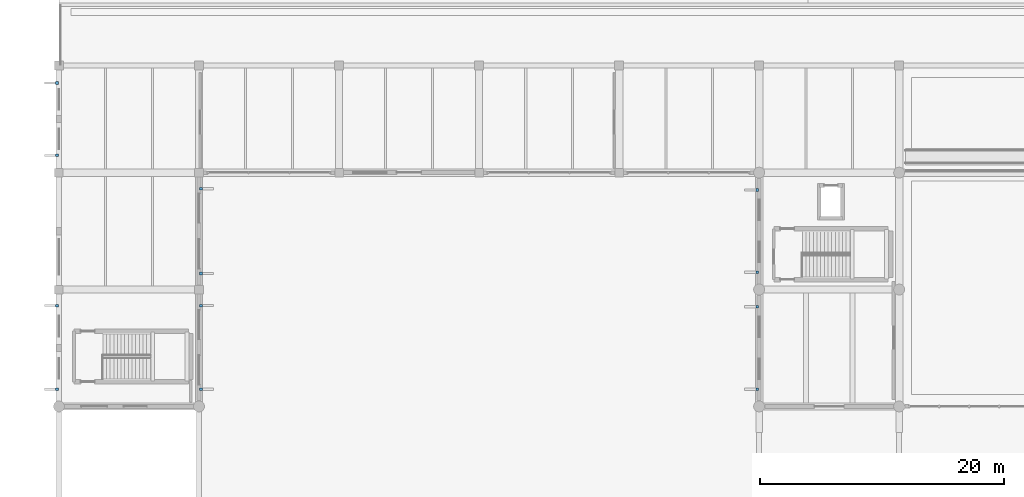
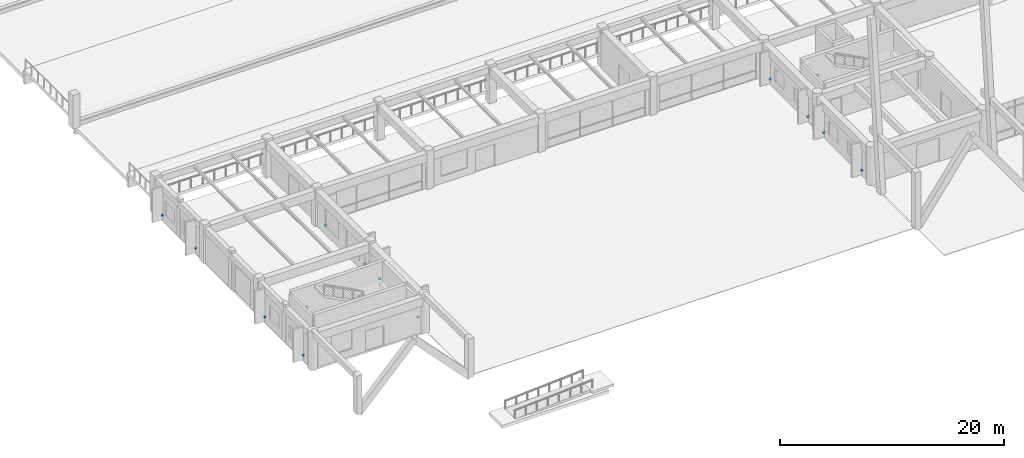
# One storey, part 95 of 109: 12 discrete accessories.
"""IFC4 building model written with IfcOpenShell, lengths in metres."""

from ifc_helpers import new_model, si_unit, direction, frame, origin, origin_2d, place, context, subcontext, project, spatial, rectangle, extrude, material, type_object, element, save


model = new_model("IFC4")

# Units and contexts
model_context = context("Model", 3, precision=1e-05, world=origin(), true_north=direction((0.0, 1.0)))
body_context = subcontext(model_context, "Body", "Model", "MODEL_VIEW")
ifc_project = project(units=[si_unit("LENGTHUNIT", "METRE"), si_unit("AREAUNIT", "SQUARE_METRE"), si_unit("VOLUMEUNIT", "CUBIC_METRE"), si_unit("PLANEANGLEUNIT", "RADIAN"), si_unit("MASSUNIT", "GRAM", prefix="KILO")], contexts=[model_context])

# Site, building, storey
site_placement = place(None, origin())
site = spatial("IfcSite", under=ifc_project, at=site_placement, CompositionType="ELEMENT")
building_placement = place(site_placement, origin())
building = spatial("IfcBuilding", under=site, at=building_placement, Name="Ologun Quay Terminus", CompositionType="ELEMENT")
storey_placement = place(building_placement, origin())
storey = spatial("IfcBuildingStorey", under=building, at=storey_placement, Name="L00", CompositionType="ELEMENT", Elevation=0.0)

# Discrete accessories
ifc_material = material(Name="Steel S355", Category="steel")
discrete_accessory_type = type_object("IfcDiscreteAccessoryType", Name="Solar Fin Stainless Support Bracket", PredefinedType="BRACKET", material=ifc_material)
for number, where, z_axis, x_axis, name in (
    (1, (11.659912109375, 9.419921875, 0.52001953125), (0.0, 0.0, 1.0), (1.0, 0.0, 0.0), "BRK-01 Solar Fin Bracket WEW-SA-L00-1-2-1"),
    (2, (11.659912109375, 16.280029296875, 0.52001953125), (0.0, 0.0, 1.0), (1.0, 0.0, 0.0), "BRK-01 Solar Fin Bracket WEW-SA-L00-1-2-2"),
    (3, (11.659912109375, 18.919921875, 0.52001953125), (0.0, 0.0, 1.0), (1.0, 0.0, 0.0), "BRK-01 Solar Fin Bracket WEW-SA-L00-1-3-1"),
    (4, (11.659912109375, 25.8798828125, 0.52001953125), (0.0, 0.0, 1.0), (1.0, 0.0, 0.0), "BRK-01 Solar Fin Bracket WEW-SA-L00-1-3-2"),
    (5, (-0.159912109375, 9.419921875, 0.52001953125), (0.0, 0.0, 1.0), (1.0, 0.0, 0.0), "BRK-01 Solar Fin Bracket WEW-SA-L00-1-14-1"),
    (6, (-0.159912109375, 16.280029296875, 0.52001953125), (0.0, 0.0, 1.0), (1.0, 0.0, 0.0), "BRK-01 Solar Fin Bracket WEW-SA-L00-1-14-2"),
    (7, (-0.159912109375, 28.6201171875, 0.52001953125), (0.0, 0.0, 1.0), (1.0, 0.0, 0.0), "BRK-01 Solar Fin Bracket WEW-SA-L00-1-16-1"),
    (8, (-0.159912109375, 34.554931640625, 0.52001953125), (0.0, 0.0, 1.0), (1.0, 0.0, 0.0), "BRK-01 Solar Fin Bracket WEW-SA-L00-1-16-2"),
    (9, (57.340087890625, 9.419921875, 0.52001953125), (0.0, 0.0, 1.0), (1.0, 0.0, 0.0), "BRK-01 Solar Fin Bracket WEW-SA-L00-2-16-1"),
    (10, (57.340087890625, 16.179931640625, 0.52001953125), (0.0, 0.0, 1.0), (1.0, 0.0, 0.0), "BRK-01 Solar Fin Bracket WEW-SA-L00-2-16-2"),
    (11, (57.340087890625, 19.02001953125, 0.52001953125), (0.0, 0.0, 1.0), (1.0, 0.0, 0.0), "BRK-01 Solar Fin Bracket WEW-SA-L00-2-17-1"),
    (12, (57.340087890625, 25.780029296875, 0.52001953125), (0.0, 0.0, 1.0), (1.0, 0.0, 0.0), "BRK-01 Solar Fin Bracket WEW-SA-L00-2-17-2"),
):
    element("IfcDiscreteAccessory", number, at=place(storey_placement, frame(where, z_axis=z_axis, x_axis=x_axis)), inside=storey, type_object=discrete_accessory_type, Name=name, PredefinedType="BRACKET", context=body_context, shape_type="SweptSolid", body=[
        extrude(rectangle(XDim=0.219970703125, YDim=0.219970703125, at=origin_2d()), origin(), (0.0, 0.0, 1.0), 0.159912109375),
    ])

save(model, "model.ifc")
